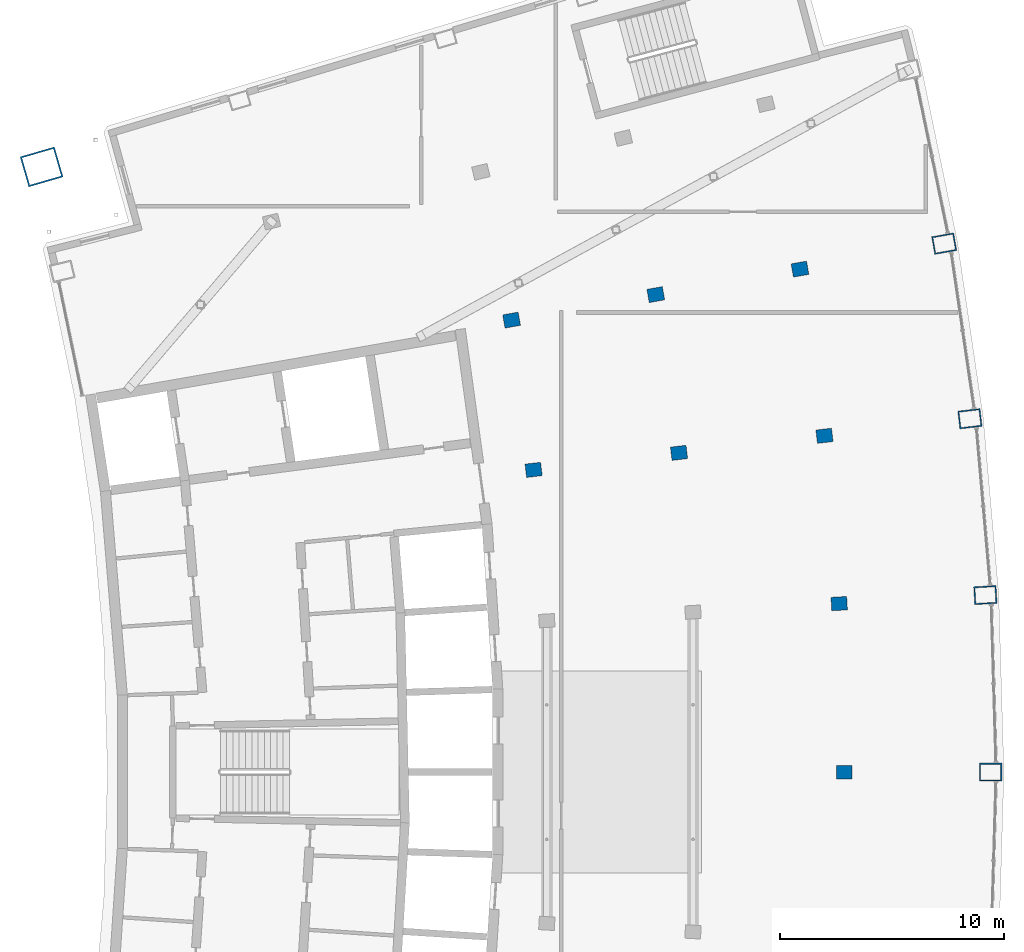
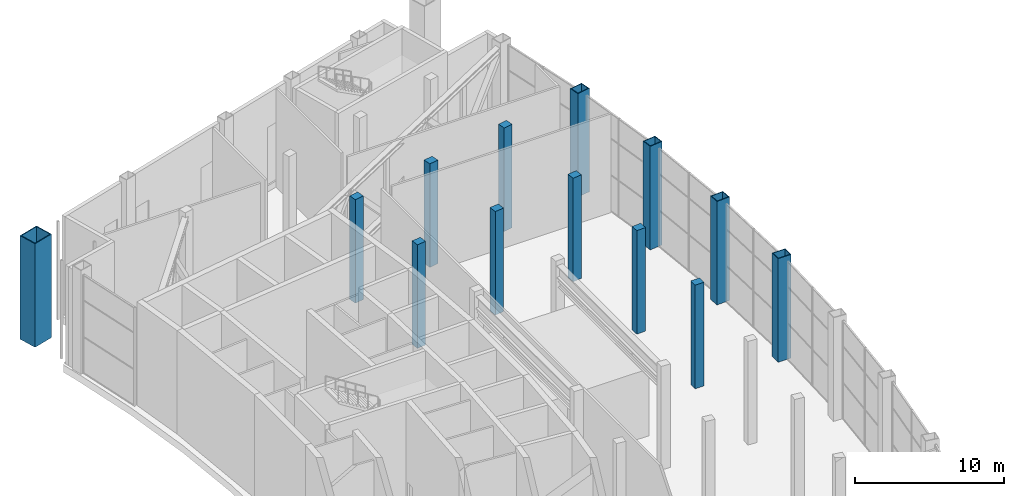
# One storey, part 4 of 25: 13 columns.
"""IFC4 building model written with IfcOpenShell, lengths in metres."""

from ifc_helpers import new_model, si_unit, direction, frame, origin, origin_2d, place, context, subcontext, project, spatial, rectangle, hollow_rectangle, extrude, material, material_profile, profile_set, type_object, element, save


model = new_model("IFC4")

# Units and contexts
model_context = context("Model", 3, precision=1e-05, world=origin(), true_north=direction((0.0, 1.0)))
body_context = subcontext(model_context, "Body", "Model", "MODEL_VIEW")
ifc_project = project(units=[si_unit("LENGTHUNIT", "METRE"), si_unit("AREAUNIT", "SQUARE_METRE"), si_unit("VOLUMEUNIT", "CUBIC_METRE"), si_unit("PLANEANGLEUNIT", "RADIAN"), si_unit("MASSUNIT", "GRAM", prefix="KILO")], contexts=[model_context])

# Site, building, storey
site_placement = place(None, origin())
site = spatial("IfcSite", under=ifc_project, at=site_placement, CompositionType="ELEMENT")
building_placement = place(site_placement, origin())
building = spatial("IfcBuilding", under=site, at=building_placement, Name="Alderwake Tower", CompositionType="ELEMENT")
storey_placement = place(building_placement, frame((0.0, 0.0, 296.0)))
storey = spatial("IfcBuildingStorey", under=building, at=storey_placement, Name="L73", CompositionType="ELEMENT", Elevation=296.0)

# Columns
ifc_material_1 = material(Name="Concrete C70/85", Category="concrete")
ifc_material_profile_1 = material_profile(ifc_material_1, rectangle(XDim=0.60009765625, YDim=0.699951171875, at=origin_2d()), Name="RC 700X600")
ifc_profile_set_1 = profile_set([ifc_material_profile_1], Name="Concrete C70/85")
column_type_1 = type_object("IfcColumnType", Name="Interior column Z5", PredefinedType="COLUMN", material=ifc_profile_set_1)
for number, where, z_axis, x_axis, name in (
    (1, (48.86669921875, 61.0, 0.0), (0.0, 0.0, 1.0), (0.0, 1.0, 0.0), "Column R07-C4"),
    (2, (48.6474609375, 68.512939453125, 0.0), (0.0, 0.0, 1.0), (-0.058301061284, 0.998299046505, 0.0), "Column R08-C4"),
    (3, (35.0126953125, 74.4794921875, 0.0), (0.0, 0.0, 1.0), (-0.116402054316, 0.993202175668, 0.0), "Column R09-C2"),
    (4, (41.501708984375, 75.239990234375, 0.0), (0.0, 0.0, 1.0), (-0.116402054316, 0.993202175668, 0.0), "Column R09-C3"),
    (5, (47.99072265625, 76.00048828125, 0.0), (0.0, 0.0, 1.0), (-0.116402054316, 0.993202175668, 0.0), "Column R09-C4"),
    (6, (34.03125, 81.16162109375, 0.0), (0.0, 0.0, 1.0), (-0.174108800747, 0.984726421654, 0.0), "Column R10-C2"),
    (7, (40.46484375, 82.29931640625, 0.0), (0.0, 0.0, 1.0), (-0.174108800747, 0.984726421654, 0.0), "Column R10-C3"),
    (8, (46.8984375, 83.436767578125, 0.0), (0.0, 0.0, 1.0), (-0.174107082075, 0.984726725529, 0.0), "Column R10-C4"),
):
    element("IfcColumn", number, at=place(storey_placement, frame(where, z_axis=z_axis, x_axis=x_axis)), inside=storey, type_object=column_type_1, Name=name, PredefinedType="COLUMN", context=body_context, shape_type="SweptSolid", body=[
        extrude(rectangle(XDim=0.60009765625, YDim=0.699951171875, at=origin_2d()), origin(), (0.0, 0.0, 1.0), 8.5),
    ])
ifc_material_2 = material(Name="Steel ASTM A572 Grade 50 concrete filled C70/85", Category="concrete")
ifc_material_profile_2 = material_profile(ifc_material_2, hollow_rectangle(XDim=1.39990234375, YDim=1.60009765625, WallThickness=0.070068359375, at=origin_2d()), Name="BOX 1600X1400X70")
ifc_profile_set_2 = profile_set([ifc_material_profile_2], Name="Steel ASTM A572 Grade 50 concrete filled C70/85")
column_type_2 = type_object("IfcColumnType", Name="Mega column Z5", PredefinedType="COLUMN", material=ifc_profile_set_2)
column_placement = place(storey_placement, frame((13.06298828125, 87.99755859375, 0.0), z_axis=(0.0, 0.0, 1.0), x_axis=(-0.278612301868, 0.960403657452, 0.0)))
element("IfcColumn", 9, at=column_placement, inside=storey, type_object=column_type_2, Name="Column R12-C0", PredefinedType="COLUMN", context=body_context, shape_type="SweptSolid", body=[
    extrude(hollow_rectangle(XDim=1.39990234375, YDim=1.60009765625, WallThickness=0.070068359375, at=origin_2d()), origin(), (0.0, 0.0, 1.0), 8.5),
])
ifc_material_3 = material(Name="Steel ASTM A572 Grade 50 concrete filled C70/85", Category="concrete")
ifc_material_profile_3 = material_profile(ifc_material_3, hollow_rectangle(XDim=0.800048828125, YDim=1.0, WallThickness=0.054931640625, at=origin_2d()), Name="BOX 1000X800X55")
ifc_profile_set_3 = profile_set([ifc_material_profile_3], Name="Steel ASTM A572 Grade 50 concrete filled C70/85")
column_type_3 = type_object("IfcColumnType", Name="Perimeter column Z5", PredefinedType="COLUMN", material=ifc_profile_set_3)
for number, where, z_axis, x_axis, name in (
    (10, (55.39990234375, 61.0, 0.0), (0.0, 0.0, 1.0), (0.0, 1.0, 0.0), "Column R07-C5"),
    (11, (55.169677734375, 68.893798828125, 0.0), (0.0, 0.0, 1.0), (-0.058301061284, 0.998299046505, 0.0), "Column R08-C5"),
    (12, (54.4794921875, 76.760986328125, 0.0), (0.0, 0.0, 1.0), (-0.116402054316, 0.993202175668, 0.0), "Column R09-C5"),
    (13, (53.33203125, 84.57421875, 0.0), (0.0, 0.0, 1.0), (-0.174107082075, 0.984726725529, 0.0), "Column R10-C5"),
):
    element("IfcColumn", number, at=place(storey_placement, frame(where, z_axis=z_axis, x_axis=x_axis)), inside=storey, type_object=column_type_3, Name=name, PredefinedType="COLUMN", context=body_context, shape_type="SweptSolid", body=[
        extrude(hollow_rectangle(XDim=0.800048828125, YDim=1.0, WallThickness=0.054931640625, at=origin_2d()), origin(), (0.0, 0.0, 1.0), 8.5),
    ])

save(model, "model.ifc")
